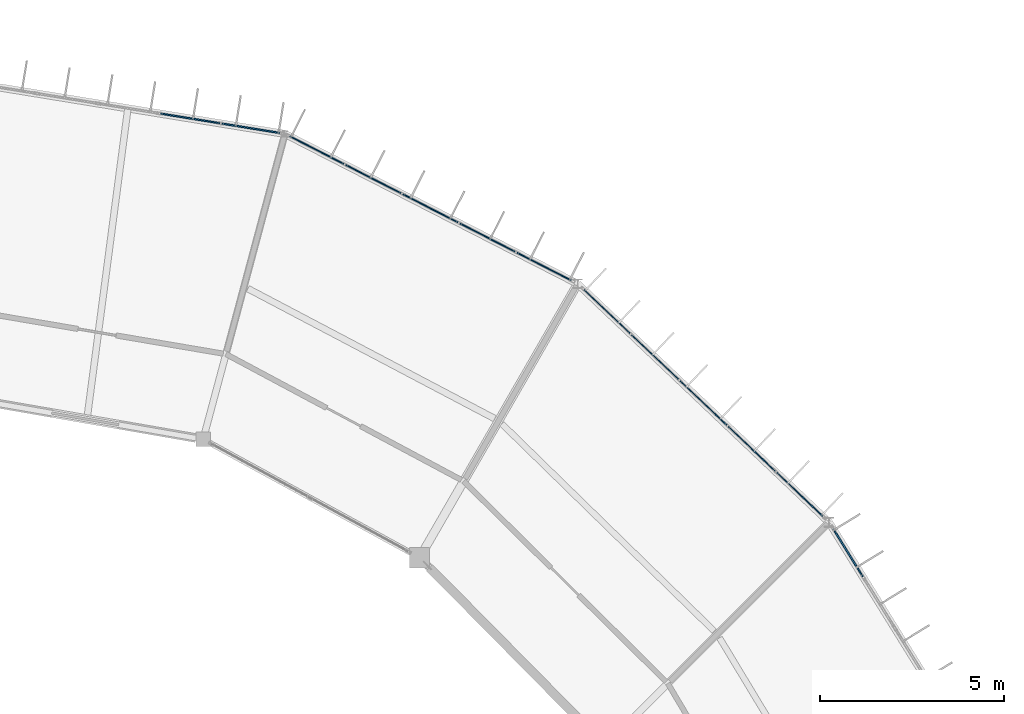
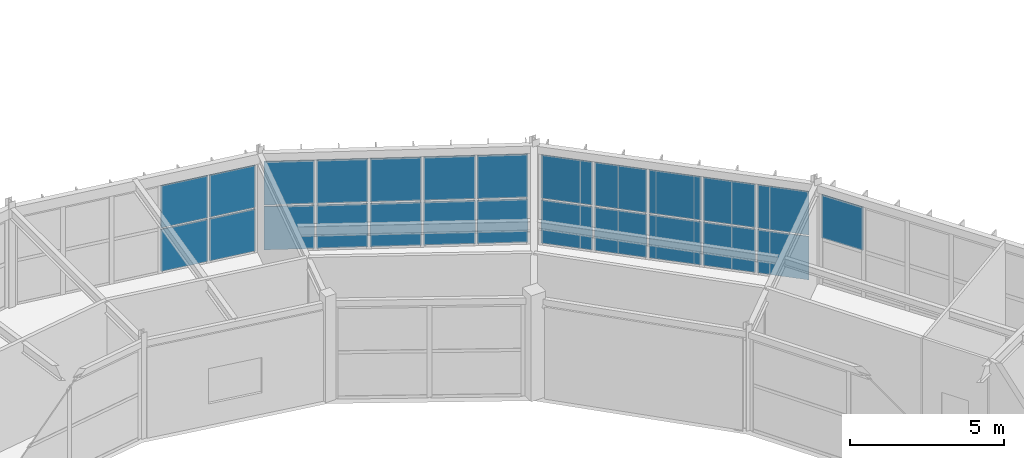
# One storey, part 84 of 106: 25 plates, 4 elements without a shape of their own.
"""IFC4 building model written with IfcOpenShell, lengths in metres."""

from ifc_helpers import new_model, si_unit, direction, frame, origin, origin_2d, place, context, subcontext, project, spatial, rectangle, extrude, material, layer, layer_set, type_object, element, aggregate, save


model = new_model("IFC4")

# Units and contexts
model_context = context("Model", 3, precision=1e-05, world=origin(), true_north=direction((0.0, 1.0)))
body_context = subcontext(model_context, "Body", "Model", "MODEL_VIEW")
ifc_project = project(units=[si_unit("LENGTHUNIT", "METRE"), si_unit("AREAUNIT", "SQUARE_METRE"), si_unit("VOLUMEUNIT", "CUBIC_METRE"), si_unit("PLANEANGLEUNIT", "RADIAN"), si_unit("MASSUNIT", "GRAM", prefix="KILO")], contexts=[model_context])

# Site, building, storey
site_placement = place(None, origin())
site = spatial("IfcSite", under=ifc_project, at=site_placement, CompositionType="ELEMENT")
building_placement = place(site_placement, origin())
building = spatial("IfcBuilding", under=site, at=building_placement, Name="Karori Crest Natural Sciences Institute", CompositionType="ELEMENT")
storey_placement = place(building_placement, frame((0.0, 0.0, 25.89990234375)))
storey = spatial("IfcBuildingStorey", under=building, at=storey_placement, Name="L06", CompositionType="ELEMENT", Elevation=25.89990234375)

# Curtain wall, plates
ifc_material_1 = material(Name="Anodised architectural aluminium 6063-T6", Category="aluminium")
curtain_wall_type_1 = type_object("IfcCurtainWallType", Name="CWT-04", PredefinedType="NOTDEFINED", material=ifc_material_1)
curtain_wall_1_placement = place(storey_placement, origin())
curtain_wall_1 = element("IfcCurtainWall", 1, at=curtain_wall_1_placement, inside=storey, type_object=curtain_wall_type_1, Name="Curtain wall CW-0225", PredefinedType="NOTDEFINED")
ifc_material_2 = material(Name="Double low-E laminated glass", Category="glass")
ifc_layer_1 = layer(ifc_material_2, 0.02392578125, Name="Double low-E laminated glass")
ifc_layer_set_1 = layer_set([ifc_layer_1], Name="Double low-E laminated glass")
plate_type_1 = type_object("IfcPlateType", Name="CWP-01", PredefinedType="CURTAIN_PANEL", material=ifc_layer_set_1)
plate_1_placement = place(storey_placement, frame((83.695556640625, 84.47900390625, 0.06005859375), z_axis=(0.0, 0.0, 1.0), x_axis=(0.725471459192, -0.688252251648, 0.0)))
plate_1 = element("IfcPlate", 2, at=plate_1_placement, type_object=plate_type_1, Name="CW-0225 panel 1.1", PredefinedType="CURTAIN_PANEL", context=body_context, shape_type="SweptSolid", body=[
    extrude(rectangle(XDim=1.717041015625, YDim=0.02392578125, at=origin_2d()), origin(), (0.0, 0.0, 1.0), 1.722412109375),
])
plate_2_placement = place(storey_placement, frame((83.695556640625, 84.47900390625, 1.8427734375), z_axis=(0.0, 0.0, 1.0), x_axis=(0.725471459192, -0.688252251648, 0.0)))
plate_2 = element("IfcPlate", 3, at=plate_2_placement, type_object=plate_type_1, Name="CW-0225 panel 1.2", PredefinedType="CURTAIN_PANEL", context=body_context, shape_type="SweptSolid", body=[
    extrude(rectangle(XDim=1.717041015625, YDim=0.02392578125, at=origin_2d()), origin(), (0.0, 0.0, 1.0), 1.722412109375),
])
plate_3_placement = place(storey_placement, frame((85.000244140625, 83.2412109375, 0.06005859375), z_axis=(0.0, 0.0, 1.0), x_axis=(0.725471459192, -0.688252251648, 0.0)))
plate_3 = element("IfcPlate", 4, at=plate_3_placement, type_object=plate_type_1, Name="CW-0225 panel 2.1", PredefinedType="CURTAIN_PANEL", context=body_context, shape_type="SweptSolid", body=[
    extrude(rectangle(XDim=1.749755859375, YDim=0.02392578125, at=origin_2d()), origin(), (0.0, 0.0, 1.0), 1.722412109375),
])
plate_4_placement = place(storey_placement, frame((85.000244140625, 83.2412109375, 1.8427734375), z_axis=(0.0, 0.0, 1.0), x_axis=(0.725471459192, -0.688252251648, 0.0)))
plate_4 = element("IfcPlate", 5, at=plate_4_placement, type_object=plate_type_1, Name="CW-0225 panel 2.2", PredefinedType="CURTAIN_PANEL", context=body_context, shape_type="SweptSolid", body=[
    extrude(rectangle(XDim=1.749755859375, YDim=0.02392578125, at=origin_2d()), origin(), (0.0, 0.0, 1.0), 1.722412109375),
])
plate_5_placement = place(storey_placement, frame((86.31689453125, 81.992431640625, 0.06005859375), z_axis=(0.0, 0.0, 1.0), x_axis=(0.725471459192, -0.688252251648, 0.0)))
plate_5 = element("IfcPlate", 6, at=plate_5_placement, type_object=plate_type_1, Name="CW-0225 panel 3.1", PredefinedType="CURTAIN_PANEL", context=body_context, shape_type="SweptSolid", body=[
    extrude(rectangle(XDim=1.749755859375, YDim=0.02392578125, at=origin_2d()), origin(), (0.0, 0.0, 1.0), 1.722412109375),
])
plate_6_placement = place(storey_placement, frame((86.31689453125, 81.992431640625, 1.8427734375), z_axis=(0.0, 0.0, 1.0), x_axis=(0.725471459192, -0.688252251648, 0.0)))
plate_6 = element("IfcPlate", 7, at=plate_6_placement, type_object=plate_type_1, Name="CW-0225 panel 3.2", PredefinedType="CURTAIN_PANEL", context=body_context, shape_type="SweptSolid", body=[
    extrude(rectangle(XDim=1.749755859375, YDim=0.02392578125, at=origin_2d()), origin(), (0.0, 0.0, 1.0), 1.722412109375),
])
plate_7_placement = place(storey_placement, frame((87.63330078125, 80.743408203125, 0.06005859375), z_axis=(0.0, 0.0, 1.0), x_axis=(0.725471459192, -0.688252251648, 0.0)))
plate_7 = element("IfcPlate", 8, at=plate_7_placement, type_object=plate_type_1, Name="CW-0225 panel 4.1", PredefinedType="CURTAIN_PANEL", context=body_context, shape_type="SweptSolid", body=[
    extrude(rectangle(XDim=1.749755859375, YDim=0.02392578125, at=origin_2d()), origin(), (0.0, 0.0, 1.0), 1.722412109375),
])
plate_8_placement = place(storey_placement, frame((87.63330078125, 80.743408203125, 1.8427734375), z_axis=(0.0, 0.0, 1.0), x_axis=(0.725471459192, -0.688252251648, 0.0)))
plate_8 = element("IfcPlate", 9, at=plate_8_placement, type_object=plate_type_1, Name="CW-0225 panel 4.2", PredefinedType="CURTAIN_PANEL", context=body_context, shape_type="SweptSolid", body=[
    extrude(rectangle(XDim=1.749755859375, YDim=0.02392578125, at=origin_2d()), origin(), (0.0, 0.0, 1.0), 1.722412109375),
])
plate_9_placement = place(storey_placement, frame((88.93798828125, 79.505615234375, 0.06005859375), z_axis=(0.0, 0.0, 1.0), x_axis=(0.725471459192, -0.688252251648, 0.0)))
plate_9 = element("IfcPlate", 10, at=plate_9_placement, type_object=plate_type_1, Name="CW-0225 panel 5.1", PredefinedType="CURTAIN_PANEL", context=body_context, shape_type="SweptSolid", body=[
    extrude(rectangle(XDim=1.717041015625, YDim=0.02392578125, at=origin_2d()), origin(), (0.0, 0.0, 1.0), 1.722412109375),
])
plate_10_placement = place(storey_placement, frame((88.93798828125, 79.505615234375, 1.8427734375), z_axis=(0.0, 0.0, 1.0), x_axis=(0.725471459192, -0.688252251648, 0.0)))
plate_10 = element("IfcPlate", 11, at=plate_10_placement, type_object=plate_type_1, Name="CW-0225 panel 5.2", PredefinedType="CURTAIN_PANEL", context=body_context, shape_type="SweptSolid", body=[
    extrude(rectangle(XDim=1.717041015625, YDim=0.02392578125, at=origin_2d()), origin(), (0.0, 0.0, 1.0), 1.722412109375),
])
aggregate(curtain_wall_1, [plate_1, plate_2, plate_3, plate_4, plate_5, plate_6, plate_7, plate_8, plate_9, plate_10])

curtain_wall_type_2 = type_object("IfcCurtainWallType", Name="CWT-05", PredefinedType="NOTDEFINED", material=ifc_material_1)
curtain_wall_2_placement = place(storey_placement, origin())
curtain_wall_2 = element("IfcCurtainWall", 12, at=curtain_wall_2_placement, inside=storey, type_object=curtain_wall_type_2, Name="Curtain wall CW-0226", PredefinedType="NOTDEFINED")
ifc_layer_2 = layer(ifc_material_2, 0.033935546875, Name="Double low-E laminated glass")
ifc_layer_set_2 = layer_set([ifc_layer_2], Name="Double low-E laminated glass")
plate_type_2 = type_object("IfcPlateType", Name="CWP-02", PredefinedType="CURTAIN_PANEL", material=ifc_layer_set_2)
plate_11_placement = place(storey_placement, frame((75.806640625, 88.866455078125, 0.06494140625), z_axis=(0.0, 0.0, 1.0), x_axis=(0.890067432138, -0.455828878252, 0.0)))
plate_11 = element("IfcPlate", 13, at=plate_11_placement, type_object=plate_type_2, Name="CW-0226 panel 1.1", PredefinedType="CURTAIN_PANEL", context=body_context, shape_type="SweptSolid", body=[
    extrude(rectangle(XDim=1.645751953125, YDim=0.033935546875, at=origin_2d()), origin(), (0.0, 0.0, 1.0), 1.715087890625),
])
plate_12_placement = place(storey_placement, frame((75.806640625, 88.866455078125, 1.84521484375), z_axis=(0.0, 0.0, 1.0), x_axis=(0.890067432138, -0.455828878252, 0.0)))
plate_12 = element("IfcPlate", 14, at=plate_12_placement, type_object=plate_type_2, Name="CW-0226 panel 1.2", PredefinedType="CURTAIN_PANEL", context=body_context, shape_type="SweptSolid", body=[
    extrude(rectangle(XDim=1.645751953125, YDim=0.033935546875, at=origin_2d()), origin(), (0.0, 0.0, 1.0), 1.715087890625),
])
plate_13_placement = place(storey_placement, frame((77.34375, 88.079345703125, 0.06494140625), z_axis=(0.0, 0.0, 1.0), x_axis=(0.890067432138, -0.455828878252, 0.0)))
plate_13 = element("IfcPlate", 15, at=plate_13_placement, type_object=plate_type_2, Name="CW-0226 panel 2.1", PredefinedType="CURTAIN_PANEL", context=body_context, shape_type="SweptSolid", body=[
    extrude(rectangle(XDim=1.678466796875, YDim=0.033935546875, at=origin_2d()), origin(), (0.0, 0.0, 1.0), 1.715087890625),
])
plate_14_placement = place(storey_placement, frame((77.34375, 88.079345703125, 1.84521484375), z_axis=(0.0, 0.0, 1.0), x_axis=(0.890067432138, -0.455828878252, 0.0)))
plate_14 = element("IfcPlate", 16, at=plate_14_placement, type_object=plate_type_2, Name="CW-0226 panel 2.2", PredefinedType="CURTAIN_PANEL", context=body_context, shape_type="SweptSolid", body=[
    extrude(rectangle(XDim=1.678466796875, YDim=0.033935546875, at=origin_2d()), origin(), (0.0, 0.0, 1.0), 1.715087890625),
])
plate_15_placement = place(storey_placement, frame((78.8955078125, 87.28466796875, 0.06494140625), z_axis=(0.0, 0.0, 1.0), x_axis=(0.890067432138, -0.455828878252, 0.0)))
plate_15 = element("IfcPlate", 17, at=plate_15_placement, type_object=plate_type_2, Name="CW-0226 panel 3.1", PredefinedType="CURTAIN_PANEL", context=body_context, shape_type="SweptSolid", body=[
    extrude(rectangle(XDim=1.678466796875, YDim=0.033935546875, at=origin_2d()), origin(), (0.0, 0.0, 1.0), 1.715087890625),
])
plate_16_placement = place(storey_placement, frame((78.8955078125, 87.28466796875, 1.84521484375), z_axis=(0.0, 0.0, 1.0), x_axis=(0.890067432138, -0.455828878252, 0.0)))
plate_16 = element("IfcPlate", 18, at=plate_16_placement, type_object=plate_type_2, Name="CW-0226 panel 3.2", PredefinedType="CURTAIN_PANEL", context=body_context, shape_type="SweptSolid", body=[
    extrude(rectangle(XDim=1.678466796875, YDim=0.033935546875, at=origin_2d()), origin(), (0.0, 0.0, 1.0), 1.715087890625),
])
plate_17_placement = place(storey_placement, frame((80.447265625, 86.489990234375, 0.06494140625), z_axis=(0.0, 0.0, 1.0), x_axis=(0.890067432138, -0.455828878252, 0.0)))
plate_17 = element("IfcPlate", 19, at=plate_17_placement, type_object=plate_type_2, Name="CW-0226 panel 4.1", PredefinedType="CURTAIN_PANEL", context=body_context, shape_type="SweptSolid", body=[
    extrude(rectangle(XDim=1.678466796875, YDim=0.033935546875, at=origin_2d()), origin(), (0.0, 0.0, 1.0), 1.715087890625),
])
plate_18_placement = place(storey_placement, frame((80.447265625, 86.489990234375, 1.84521484375), z_axis=(0.0, 0.0, 1.0), x_axis=(0.890067432138, -0.455828878252, 0.0)))
plate_18 = element("IfcPlate", 20, at=plate_18_placement, type_object=plate_type_2, Name="CW-0226 panel 4.2", PredefinedType="CURTAIN_PANEL", context=body_context, shape_type="SweptSolid", body=[
    extrude(rectangle(XDim=1.678466796875, YDim=0.033935546875, at=origin_2d()), origin(), (0.0, 0.0, 1.0), 1.715087890625),
])
plate_19_placement = place(storey_placement, frame((81.984375, 85.70263671875, 0.06494140625), z_axis=(0.0, 0.0, 1.0), x_axis=(0.890067432138, -0.455828878252, 0.0)))
plate_19 = element("IfcPlate", 21, at=plate_19_placement, type_object=plate_type_2, Name="CW-0226 panel 5.1", PredefinedType="CURTAIN_PANEL", context=body_context, shape_type="SweptSolid", body=[
    extrude(rectangle(XDim=1.645751953125, YDim=0.033935546875, at=origin_2d()), origin(), (0.0, 0.0, 1.0), 1.715087890625),
])
plate_20_placement = place(storey_placement, frame((81.984375, 85.70263671875, 1.84521484375), z_axis=(0.0, 0.0, 1.0), x_axis=(0.890067432138, -0.455828878252, 0.0)))
plate_20 = element("IfcPlate", 22, at=plate_20_placement, type_object=plate_type_2, Name="CW-0226 panel 5.2", PredefinedType="CURTAIN_PANEL", context=body_context, shape_type="SweptSolid", body=[
    extrude(rectangle(XDim=1.645751953125, YDim=0.033935546875, at=origin_2d()), origin(), (0.0, 0.0, 1.0), 1.715087890625),
])
aggregate(curtain_wall_2, [plate_11, plate_12, plate_13, plate_14, plate_15, plate_16, plate_17, plate_18, plate_19, plate_20])

# Curtain wall, plate
curtain_wall_type_3 = type_object("IfcCurtainWallType", Name="CWT-03", PredefinedType="NOTDEFINED", material=ifc_material_1)
curtain_wall_3_placement = place(storey_placement, origin())
curtain_wall_3 = element("IfcCurtainWall", 23, at=curtain_wall_3_placement, inside=storey, type_object=curtain_wall_type_3, Name="Curtain wall CW-0223", PredefinedType="NOTDEFINED")
ifc_layer_3 = layer(ifc_material_2, 0.0439453125, Name="Double low-E laminated glass")
ifc_layer_set_3 = layer_set([ifc_layer_3], Name="Double low-E laminated glass")
plate_type_3 = type_object("IfcPlateType", Name="CWP-03", PredefinedType="CURTAIN_PANEL", material=ifc_layer_set_3)
plate_21_placement = place(storey_placement, frame((90.2490234375, 77.921142578125, 1.84521484375), z_axis=(0.0, 0.0, 1.0), x_axis=(0.527327706489, -0.849661985715, 0.0)))
plate_21 = element("IfcPlate", 24, at=plate_21_placement, type_object=plate_type_3, Name="CW-0223 panel 1.2", PredefinedType="CURTAIN_PANEL", context=body_context, shape_type="SweptSolid", body=[
    extrude(rectangle(XDim=1.519287109375, YDim=0.0439453125, at=origin_2d()), origin(), (0.0, 0.0, 1.0), 1.715087890625),
])
aggregate(curtain_wall_3, [plate_21])

# Curtain wall, plates
curtain_wall_type_4 = type_object("IfcCurtainWallType", Name="CWT-06", PredefinedType="NOTDEFINED", material=ifc_material_1)
curtain_wall_4_placement = place(storey_placement, origin())
curtain_wall_4 = element("IfcCurtainWall", 25, at=curtain_wall_4_placement, inside=storey, type_object=curtain_wall_type_4, Name="Curtain wall CW-0228", PredefinedType="NOTDEFINED")
plate_22_placement = place(storey_placement, frame((72.364013671875, 89.729248046875, 0.06005859375), z_axis=(0.0, 0.0, 1.0), x_axis=(0.987010543275, -0.160655493101, 0.0)))
plate_22 = element("IfcPlate", 26, at=plate_22_placement, type_object=plate_type_3, Name="CW-0228 panel 4.1", PredefinedType="CURTAIN_PANEL", context=body_context, shape_type="SweptSolid", body=[
    extrude(rectangle(XDim=1.625, YDim=0.0439453125, at=origin_2d()), origin(), (0.0, 0.0, 1.0), 1.672607421875),
])
plate_23_placement = place(storey_placement, frame((72.364013671875, 89.729248046875, 1.79248046875), z_axis=(0.0, 0.0, 1.0), x_axis=(0.987010543275, -0.160655493101, 0.0)))
plate_23 = element("IfcPlate", 27, at=plate_23_placement, type_object=plate_type_3, Name="CW-0228 panel 4.2", PredefinedType="CURTAIN_PANEL", context=body_context, shape_type="SweptSolid", body=[
    extrude(rectangle(XDim=1.625, YDim=0.0439453125, at=origin_2d()), origin(), (0.0, 0.0, 1.0), 1.672607421875),
])
plate_24_placement = place(storey_placement, frame((74.015869140625, 89.46044921875, 0.06005859375), z_axis=(0.0, 0.0, 1.0), x_axis=(0.987010543275, -0.160655493101, 0.0)))
plate_24 = element("IfcPlate", 28, at=plate_24_placement, type_object=plate_type_3, Name="CW-0228 panel 5.1", PredefinedType="CURTAIN_PANEL", context=body_context, shape_type="SweptSolid", body=[
    extrude(rectangle(XDim=1.592529296875, YDim=0.0439453125, at=origin_2d()), origin(), (0.0, 0.0, 1.0), 1.672607421875),
])
plate_25_placement = place(storey_placement, frame((74.015869140625, 89.46044921875, 1.79248046875), z_axis=(0.0, 0.0, 1.0), x_axis=(0.987010543275, -0.160655493101, 0.0)))
plate_25 = element("IfcPlate", 29, at=plate_25_placement, type_object=plate_type_3, Name="CW-0228 panel 5.2", PredefinedType="CURTAIN_PANEL", context=body_context, shape_type="SweptSolid", body=[
    extrude(rectangle(XDim=1.592529296875, YDim=0.0439453125, at=origin_2d()), origin(), (0.0, 0.0, 1.0), 1.672607421875),
])
aggregate(curtain_wall_4, [plate_22, plate_23, plate_24, plate_25])

save(model, "model.ifc")
